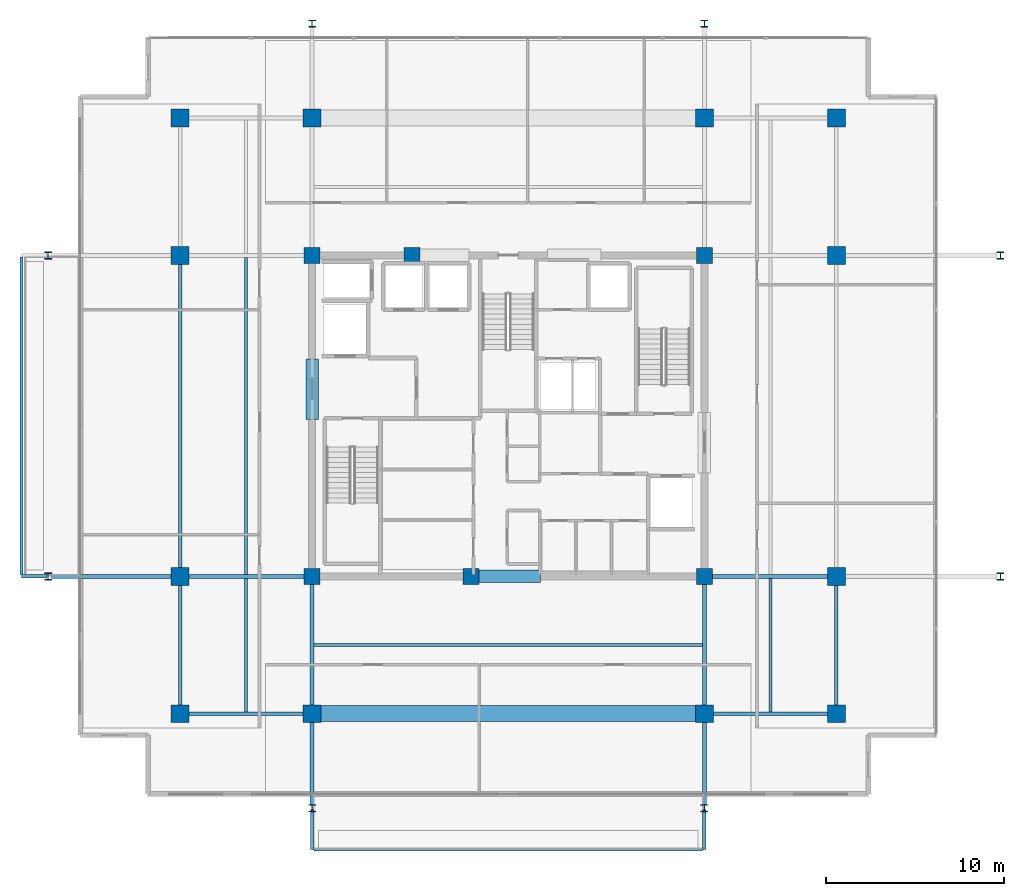
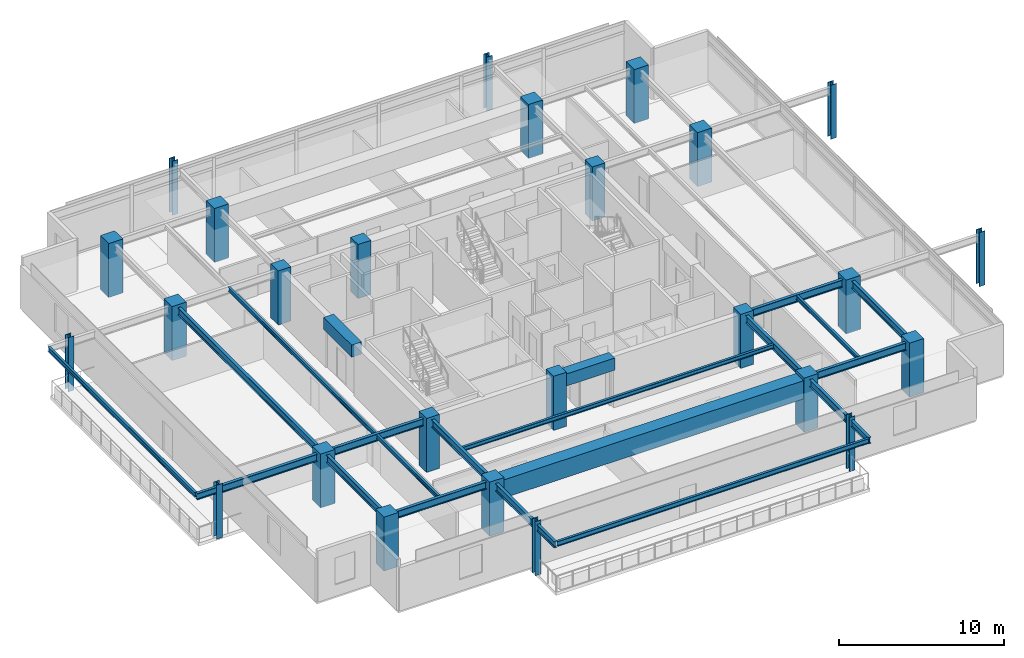
# One storey, part 1 of 20: 26 columns, 24 beams.
"""IFC4 building model written with IfcOpenShell, lengths in metres."""

from ifc_helpers import new_model, si_unit, direction, frame, origin, origin_2d, place, context, subcontext, project, spatial, rectangle, i_section, extrude, material, material_profile, profile_set, type_object, element, save


model = new_model("IFC4")

# Units and contexts
model_context = context("Model", 3, precision=1e-05, world=origin(), true_north=direction((0.0, 1.0)))
body_context = subcontext(model_context, "Body", "Model", "MODEL_VIEW")
ifc_project = project(units=[si_unit("LENGTHUNIT", "METRE"), si_unit("AREAUNIT", "SQUARE_METRE"), si_unit("VOLUMEUNIT", "CUBIC_METRE"), si_unit("PLANEANGLEUNIT", "RADIAN"), si_unit("MASSUNIT", "GRAM", prefix="KILO")], contexts=[model_context])

# Site, building, storey
site_placement = place(None, origin())
site = spatial("IfcSite", under=ifc_project, at=site_placement, CompositionType="ELEMENT")
building_placement = place(site_placement, origin())
building = spatial("IfcBuilding", under=site, at=building_placement, Name="Kovane Verandah Tower", CompositionType="ELEMENT")
storey_placement = place(building_placement, frame((0.0, 0.0, 306.800048828125)))
storey = spatial("IfcBuildingStorey", under=building, at=storey_placement, Name="L71", CompositionType="ELEMENT", Elevation=306.800048828125)

# Columns
ifc_material_1 = material(Name="Concrete C60/75", Category="concrete")
ifc_material_profile_1 = material_profile(ifc_material_1, rectangle(XDim=1.0, YDim=1.0, at=origin_2d()), Name="RC1000x1000")
ifc_profile_set_1 = profile_set([ifc_material_profile_1], Name="Concrete C60/75")
column_type_1 = type_object("IfcColumnType", Name="COL-RC1000", PredefinedType="COLUMN", material=ifc_profile_set_1)
for number, where, z_axis, x_axis, name in (
    (1, (29.0, 10.800048828125, 0.0), (0.0, 0.0, 1.0), (1.0, 0.0, 0.0), "L71 Tower Mega-Column MC-S1"),
    (2, (51.0, 10.800048828125, 0.0), (0.0, 0.0, 1.0), (1.0, 0.0, 0.0), "L71 Tower Mega-Column MC-S2"),
    (3, (29.0, 44.199951171875, 0.0), (0.0, 0.0, 1.0), (1.0, 0.0, 0.0), "L71 Tower Mega-Column MC-N1"),
    (4, (51.0, 44.199951171875, 0.0), (0.0, 0.0, 1.0), (1.0, 0.0, 0.0), "L71 Tower Mega-Column MC-N2"),
    (5, (21.60009765625, 18.5, 0.0), (0.0, 0.0, 1.0), (1.0, 0.0, 0.0), "L71 Tower Mega-Column MC-W1"),
    (6, (21.60009765625, 36.5, 0.0), (0.0, 0.0, 1.0), (1.0, 0.0, 0.0), "L71 Tower Mega-Column MC-W2"),
    (7, (58.39990234375, 18.5, 0.0), (0.0, 0.0, 1.0), (1.0, 0.0, 0.0), "L71 Tower Mega-Column MC-E1"),
    (8, (58.39990234375, 36.5, 0.0), (0.0, 0.0, 1.0), (1.0, 0.0, 0.0), "L71 Tower Mega-Column MC-E2"),
    (9, (21.60009765625, 10.800048828125, 0.0), (0.0, 0.0, 1.0), (1.0, 0.0, 0.0), "L71 Tower Mega-Column MC-SW"),
    (10, (58.39990234375, 10.800048828125, 0.0), (0.0, 0.0, 1.0), (1.0, 0.0, 0.0), "L71 Tower Mega-Column MC-SE"),
    (11, (21.60009765625, 44.199951171875, 0.0), (0.0, 0.0, 1.0), (1.0, 0.0, 0.0), "L71 Tower Mega-Column MC-NW"),
    (12, (58.39990234375, 44.199951171875, 0.0), (0.0, 0.0, 1.0), (1.0, 0.0, 0.0), "L71 Tower Mega-Column MC-NE"),
):
    element("IfcColumn", number, at=place(storey_placement, frame(where, z_axis=z_axis, x_axis=x_axis)), inside=storey, type_object=column_type_1, Name=name, PredefinedType="COLUMN", context=body_context, shape_type="SweptSolid", body=[
        extrude(rectangle(XDim=1.0, YDim=1.0, at=origin_2d()), origin(), (0.0, 0.0, 1.0), 4.0),
    ])
ifc_material_2 = material(Name="Steel S460", Category="steel")
ifc_material_profile_2 = material_profile(ifc_material_2, i_section(OverallWidth=0.403076171875, OverallDepth=0.406494140625, WebThickness=0.026611328125, FlangeThickness=0.04296875, FilletRadius=0.01513671875, at=origin_2d()), Name="UC356x406x340")
ifc_profile_set_2 = profile_set([ifc_material_profile_2], Name="Steel S460")
column_type_2 = type_object("IfcColumnType", Name="COL-UC340", PredefinedType="COLUMN", material=ifc_profile_set_2)
for number, where, z_axis, x_axis, name in (
    (13, (14.199951171875, 18.5, 0.0), (0.0, 0.0, 1.0), (1.0, 0.0, 0.0), "L71 Verandah Perimeter Column VC-W1"),
    (14, (14.199951171875, 36.5, 0.0), (0.0, 0.0, 1.0), (1.0, 0.0, 0.0), "L71 Verandah Perimeter Column VC-W2"),
    (15, (67.60009765625, 18.5, 0.0), (0.0, 0.0, 1.0), (1.0, 0.0, 0.0), "L71 Verandah Perimeter Column VC-E1"),
    (16, (67.60009765625, 36.5, 0.0), (0.0, 0.0, 1.0), (1.0, 0.0, 0.0), "L71 Verandah Perimeter Column VC-E2"),
    (17, (29.0, 5.5, 0.0), (0.0, 0.0, 1.0), (1.0, 0.0, 0.0), "L71 Verandah Perimeter Column VC-S1"),
    (18, (51.0, 5.5, 0.0), (0.0, 0.0, 1.0), (1.0, 0.0, 0.0), "L71 Verandah Perimeter Column VC-S2"),
    (19, (29.0, 49.5, 0.0), (0.0, 0.0, 1.0), (1.0, 0.0, 0.0), "L71 Verandah Perimeter Column VC-N1"),
    (20, (51.0, 49.5, 0.0), (0.0, 0.0, 1.0), (1.0, 0.0, 0.0), "L71 Verandah Perimeter Column VC-N2"),
):
    element("IfcColumn", number, at=place(storey_placement, frame(where, z_axis=z_axis, x_axis=x_axis)), inside=storey, type_object=column_type_2, Name=name, PredefinedType="COLUMN", context=body_context, shape_type="SweptSolid", body=[
        extrude(i_section(OverallWidth=0.403076171875, OverallDepth=0.406494140625, WebThickness=0.026611328125, FlangeThickness=0.04296875, FilletRadius=0.01513671875, at=origin_2d()), origin(), (0.0, 0.0, 1.0), 4.0),
    ])
ifc_material_profile_3 = material_profile(ifc_material_1, rectangle(XDim=0.89990234375, YDim=0.89990234375, at=origin_2d()), Name="RC900x900")
ifc_profile_set_3 = profile_set([ifc_material_profile_3], Name="Concrete C60/75")
column_type_3 = type_object("IfcColumnType", Name="PIL-RC900", PredefinedType="PILASTER", material=ifc_profile_set_3)
for number, where, z_axis, x_axis, name in (
    (21, (29.0, 18.5, 0.0), (0.0, 0.0, 1.0), (1.0, 0.0, 0.0), "L71 Core Pilaster CP-SW"),
    (22, (51.0, 18.5, 0.0), (0.0, 0.0, 1.0), (1.0, 0.0, 0.0), "L71 Core Pilaster CP-SE"),
    (23, (29.0, 36.5, 0.0), (0.0, 0.0, 1.0), (1.0, 0.0, 0.0), "L71 Core Pilaster CP-NW"),
    (24, (51.0, 36.5, 0.0), (0.0, 0.0, 1.0), (1.0, 0.0, 0.0), "L71 Core Pilaster CP-NE"),
    (25, (37.89990234375, 18.5, 0.0), (0.0, 0.0, 1.0), (1.0, 0.0, 0.0), "L71 Core Pilaster CP-S"),
    (26, (34.60009765625, 36.5, 0.0), (0.0, 0.0, 1.0), (1.0, 0.0, 0.0), "L71 Core Pilaster CP-N"),
):
    element("IfcColumn", number, at=place(storey_placement, frame(where, z_axis=z_axis, x_axis=x_axis)), inside=storey, type_object=column_type_3, Name=name, PredefinedType="PILASTER", context=body_context, shape_type="SweptSolid", body=[
        extrude(rectangle(XDim=0.89990234375, YDim=0.89990234375, at=origin_2d()), origin(), (0.0, 0.0, 1.0), 4.0),
    ])

# Beams
ifc_material_profile_4 = material_profile(ifc_material_1, rectangle(XDim=0.699951171875, YDim=0.89990234375, at=origin_2d()), Name="RCB700x900")
ifc_profile_set_4 = profile_set([ifc_material_profile_4], Name="Concrete C60/75")
beam_type_1 = type_object("IfcBeamType", Name="BM-LINTEL-700x900", PredefinedType="LINTEL", material=ifc_profile_set_4)
beam_1_placement = place(storey_placement, frame((38.199951171875, 18.5, 3.3349609375), z_axis=(1.0, 0.0, 0.0), x_axis=(0.0, 1.0, 0.0)))
element("IfcBeam", 27, at=beam_1_placement, inside=storey, type_object=beam_type_1, Name="L71 Core Coupling Lintel CL-S", PredefinedType="LINTEL", context=body_context, shape_type="SweptSolid", body=[
    extrude(rectangle(XDim=0.699951171875, YDim=0.89990234375, at=origin_2d()), origin(), (0.0, 0.0, 1.0), 3.60009765625),
])
beam_2_placement = place(storey_placement, frame((29.0, 27.300048828125, 3.3349609375), z_axis=(0.0, 1.0, 0.0), x_axis=(-1.0, 0.0, 0.0)))
element("IfcBeam", 28, at=beam_2_placement, inside=storey, type_object=beam_type_1, Name="L71 Core Coupling Lintel CL-W", PredefinedType="LINTEL", context=body_context, shape_type="SweptSolid", body=[
    extrude(rectangle(XDim=0.699951171875, YDim=0.89990234375, at=origin_2d()), origin(), (0.0, 0.0, 1.0), 3.39990234375),
])
ifc_material_3 = material(Name="Concrete C80/95", Category="concrete")
ifc_material_profile_5 = material_profile(ifc_material_3, rectangle(XDim=0.89990234375, YDim=1.35009765625, at=origin_2d()), Name="RCB900x1350")
ifc_profile_set_5 = profile_set([ifc_material_profile_5], Name="Concrete C80/95")
beam_type_2 = type_object("IfcBeamType", Name="BM-TR-900x1350", PredefinedType="BEAM", material=ifc_profile_set_5)
beam_3_placement = place(storey_placement, frame((29.179931640625, 10.800048828125, 3.10986328125), z_axis=(1.0, 0.0, 0.0), x_axis=(0.0, 1.0, 0.0)))
element("IfcBeam", 29, at=beam_3_placement, inside=storey, type_object=beam_type_2, Name="L71 Primary Tower Girder G-RS2", PredefinedType="BEAM", context=body_context, shape_type="SweptSolid", body=[
    extrude(rectangle(XDim=0.89990234375, YDim=1.35009765625, at=origin_2d()), origin(), (0.0, 0.0, 1.0), 21.64013671875),
])
ifc_material_4 = material(Name="Steel S355", Category="steel")
ifc_material_profile_6 = material_profile(ifc_material_4, i_section(OverallWidth=0.2119140625, OverallDepth=0.54443359375, WebThickness=0.0126953125, FlangeThickness=0.021240234375, FilletRadius=0.0126953125, at=origin_2d()), Name="UB533x210x122")
ifc_profile_set_6 = profile_set([ifc_material_profile_6], Name="Steel S355")
beam_type_3 = type_object("IfcBeamType", Name="BM-UB533x122", PredefinedType="BEAM", material=ifc_profile_set_6)
for number, where, z_axis, x_axis, name in (
    (30, (21.780029296875, 10.800048828125, 3.5126953125), (1.0, 0.0, 0.0), (0.0, 1.0, 0.0), "L71 Primary Tower Girder G-RS1"),
    (31, (51.179931640625, 10.800048828125, 3.5126953125), (1.0, 0.0, 0.0), (0.0, 1.0, 0.0), "L71 Primary Tower Girder G-RS3"),
):
    element("IfcBeam", number, at=place(storey_placement, frame(where, z_axis=z_axis, x_axis=x_axis)), inside=storey, type_object=beam_type_3, Name=name, PredefinedType="BEAM", context=body_context, shape_type="SweptSolid", body=[
        extrude(i_section(OverallWidth=0.2119140625, OverallDepth=0.54443359375, WebThickness=0.0126953125, FlangeThickness=0.021240234375, FilletRadius=0.0126953125, at=origin_2d()), origin(), (0.0, 0.0, 1.0), 7.0400390625),
    ])
beam_4_placement = place(storey_placement, frame((21.60009765625, 10.97998046875, 3.5126953125), z_axis=(0.0, 1.0, 0.0), x_axis=(-1.0, 0.0, 0.0)))
element("IfcBeam", 32, at=beam_4_placement, inside=storey, type_object=beam_type_3, Name="L71 Primary Tower Girder G-RW1", PredefinedType="BEAM", context=body_context, shape_type="SweptSolid", body=[
    extrude(i_section(OverallWidth=0.2119140625, OverallDepth=0.54443359375, WebThickness=0.0126953125, FlangeThickness=0.021240234375, FilletRadius=0.0126953125, at=origin_2d()), origin(), (0.0, 0.0, 1.0), 7.340087890625),
])
beam_5_placement = place(storey_placement, frame((21.60009765625, 18.679931640625, 3.5126953125), z_axis=(0.0, 1.0, 0.0), x_axis=(-1.0, 0.0, 0.0)))
element("IfcBeam", 33, at=beam_5_placement, inside=storey, type_object=beam_type_3, Name="L71 Primary Tower Girder G-RW2", PredefinedType="BEAM", context=body_context, shape_type="SweptSolid", body=[
    extrude(i_section(OverallWidth=0.2119140625, OverallDepth=0.54443359375, WebThickness=0.0126953125, FlangeThickness=0.021240234375, FilletRadius=0.0126953125, at=origin_2d()), origin(), (0.0, 0.0, 1.0), 17.64013671875),
])
beam_6_placement = place(storey_placement, frame((58.39990234375, 10.97998046875, 3.5126953125), z_axis=(0.0, 1.0, 0.0), x_axis=(-1.0, 0.0, 0.0)))
element("IfcBeam", 34, at=beam_6_placement, inside=storey, type_object=beam_type_3, Name="L71 Primary Tower Girder G-RE1", PredefinedType="BEAM", context=body_context, shape_type="SweptSolid", body=[
    extrude(i_section(OverallWidth=0.2119140625, OverallDepth=0.54443359375, WebThickness=0.0126953125, FlangeThickness=0.021240234375, FilletRadius=0.0126953125, at=origin_2d()), origin(), (0.0, 0.0, 1.0), 7.340087890625),
])
for number, where, z_axis, x_axis, name in (
    (35, (28.820068359375, 18.5, 3.5126953125), (-1.0, 0.0, 0.0), (0.0, -1.0, 0.0), "L71 Primary Tower Girder G-W1"),
    (36, (51.179931640625, 18.5, 3.5126953125), (1.0, 0.0, 0.0), (0.0, 1.0, 0.0), "L71 Primary Tower Girder G-E1"),
):
    element("IfcBeam", number, at=place(storey_placement, frame(where, z_axis=z_axis, x_axis=x_axis)), inside=storey, type_object=beam_type_3, Name=name, PredefinedType="BEAM", context=body_context, shape_type="SweptSolid", body=[
        extrude(i_section(OverallWidth=0.2119140625, OverallDepth=0.54443359375, WebThickness=0.0126953125, FlangeThickness=0.021240234375, FilletRadius=0.0126953125, at=origin_2d()), origin(), (0.0, 0.0, 1.0), 7.0400390625),
    ])
for number, where, z_axis, x_axis, name in (
    (37, (29.0, 18.320068359375, 3.5126953125), (0.0, -1.0, 0.0), (1.0, 0.0, 0.0), "L71 Primary Tower Girder G-S1"),
    (38, (51.0, 18.320068359375, 3.5126953125), (0.0, -1.0, 0.0), (1.0, 0.0, 0.0), "L71 Primary Tower Girder G-S2"),
):
    element("IfcBeam", number, at=place(storey_placement, frame(where, z_axis=z_axis, x_axis=x_axis)), inside=storey, type_object=beam_type_3, Name=name, PredefinedType="BEAM", context=body_context, shape_type="SweptSolid", body=[
        extrude(i_section(OverallWidth=0.2119140625, OverallDepth=0.54443359375, WebThickness=0.0126953125, FlangeThickness=0.021240234375, FilletRadius=0.0126953125, at=origin_2d()), origin(), (0.0, 0.0, 1.0), 7.340087890625),
    ])
beam_7_placement = place(storey_placement, frame((21.419921875, 18.5, 3.48779296875), z_axis=(-1.0, 0.0, 0.0), x_axis=(0.0, -1.0, 0.0)))
element("IfcBeam", 39, at=beam_7_placement, inside=storey, type_object=beam_type_3, Name="L71 Primary Tower Girder G-VW1", PredefinedType="BEAM", context=body_context, shape_type="SweptSolid", body=[
    extrude(i_section(OverallWidth=0.2119140625, OverallDepth=0.54443359375, WebThickness=0.0126953125, FlangeThickness=0.021240234375, FilletRadius=0.0126953125, at=origin_2d()), origin(), (0.0, 0.0, 1.0), 7.0400390625),
])
for number, where, z_axis, x_axis, name in (
    (40, (29.0, 10.6201171875, 3.48779296875), (0.0, -1.0, 0.0), (1.0, 0.0, 0.0), "L71 Primary Tower Girder G-VS1"),
    (41, (51.0, 10.6201171875, 3.48779296875), (0.0, -1.0, 0.0), (1.0, 0.0, 0.0), "L71 Primary Tower Girder G-VS2"),
):
    element("IfcBeam", number, at=place(storey_placement, frame(where, z_axis=z_axis, x_axis=x_axis)), inside=storey, type_object=beam_type_3, Name=name, PredefinedType="BEAM", context=body_context, shape_type="SweptSolid", body=[
        extrude(i_section(OverallWidth=0.2119140625, OverallDepth=0.54443359375, WebThickness=0.0126953125, FlangeThickness=0.021240234375, FilletRadius=0.0126953125, at=origin_2d()), origin(), (0.0, 0.0, 1.0), 4.940185546875),
    ])
ifc_material_profile_7 = material_profile(ifc_material_4, i_section(OverallWidth=0.1669921875, OverallDepth=0.310302734375, WebThickness=0.0078125, FlangeThickness=0.013671875, FilletRadius=0.0087890625, at=origin_2d()), Name="UB305x165x54")
ifc_profile_set_7 = profile_set([ifc_material_profile_7], Name="Steel S355")
beam_type_4 = type_object("IfcBeamType", Name="JST-UB305x54", PredefinedType="JOIST", material=ifc_profile_set_7)
beam_8_placement = place(storey_placement, frame((29.10400390625, 14.64990234375, 3.629638671875), z_axis=(1.0, 0.0, 0.0), x_axis=(0.0, 1.0, 0.0)))
element("IfcBeam", 42, at=beam_8_placement, inside=storey, type_object=beam_type_4, Name="L71 Secondary Composite Joist J-S1", PredefinedType="JOIST", context=body_context, shape_type="SweptSolid", body=[
    extrude(i_section(OverallWidth=0.1669921875, OverallDepth=0.310302734375, WebThickness=0.0078125, FlangeThickness=0.013671875, FilletRadius=0.0087890625, at=origin_2d()), origin(), (0.0, 0.0, 1.0), 21.7919921875),
])
beam_9_placement = place(storey_placement, frame((25.300048828125, 18.60400390625, 3.629638671875), z_axis=(0.0, 1.0, 0.0), x_axis=(-1.0, 0.0, 0.0)))
element("IfcBeam", 43, at=beam_9_placement, inside=storey, type_object=beam_type_4, Name="L71 Secondary Composite Joist J-W1", PredefinedType="JOIST", context=body_context, shape_type="SweptSolid", body=[
    extrude(i_section(OverallWidth=0.1669921875, OverallDepth=0.310302734375, WebThickness=0.0078125, FlangeThickness=0.013671875, FilletRadius=0.0087890625, at=origin_2d()), origin(), (0.0, 0.0, 1.0), 17.7919921875),
])
for number, where, z_axis, x_axis, name in (
    (44, (25.300048828125, 10.904052734375, 3.629638671875), (0.0, 1.0, 0.0), (-1.0, 0.0, 0.0), "L71 Secondary Composite Joist J-SW1"),
    (45, (54.699951171875, 10.904052734375, 3.629638671875), (0.0, 1.0, 0.0), (-1.0, 0.0, 0.0), "L71 Secondary Composite Joist J-SE1"),
):
    element("IfcBeam", number, at=place(storey_placement, frame(where, z_axis=z_axis, x_axis=x_axis)), inside=storey, type_object=beam_type_4, Name=name, PredefinedType="JOIST", context=body_context, shape_type="SweptSolid", body=[
        extrude(i_section(OverallWidth=0.1669921875, OverallDepth=0.310302734375, WebThickness=0.0078125, FlangeThickness=0.013671875, FilletRadius=0.0087890625, at=origin_2d()), origin(), (0.0, 0.0, 1.0), 7.491943359375),
    ])
ifc_material_profile_8 = material_profile(ifc_material_4, i_section(OverallWidth=0.19287109375, OverallDepth=0.46728515625, WebThickness=0.011474609375, FlangeThickness=0.01953125, FilletRadius=0.01025390625, at=origin_2d()), Name="UB457x191x98")
ifc_profile_set_8 = profile_set([ifc_material_profile_8], Name="Steel S355")
beam_type_5 = type_object("IfcBeamType", Name="JST-UB457x98", PredefinedType="JOIST", material=ifc_profile_set_8)
for number, where, z_axis, x_axis, name in (
    (46, (29.0, 5.419921875, 3.5263671875), (0.0, -1.0, 0.0), (1.0, 0.0, 0.0), "L71 South Planter Girder 1"),
    (47, (51.0, 5.419921875, 3.5263671875), (0.0, -1.0, 0.0), (1.0, 0.0, 0.0), "L71 South Planter Girder 2"),
):
    element("IfcBeam", number, at=place(storey_placement, frame(where, z_axis=z_axis, x_axis=x_axis)), inside=storey, type_object=beam_type_5, Name=name, PredefinedType="JOIST", context=body_context, shape_type="SweptSolid", body=[
        extrude(i_section(OverallWidth=0.19287109375, OverallDepth=0.46728515625, WebThickness=0.011474609375, FlangeThickness=0.01953125, FilletRadius=0.01025390625, at=origin_2d()), origin(), (0.0, 0.0, 1.0), 2.2421875),
    ])
beam_10_placement = place(storey_placement, frame((14.1201171875, 18.5, 3.5263671875), z_axis=(-1.0, 0.0, 0.0), x_axis=(0.0, -1.0, 0.0)))
element("IfcBeam", 48, at=beam_10_placement, inside=storey, type_object=beam_type_5, Name="L71 West Planter Girder 1", PredefinedType="JOIST", context=body_context, shape_type="SweptSolid", body=[
    extrude(i_section(OverallWidth=0.19287109375, OverallDepth=0.46728515625, WebThickness=0.011474609375, FlangeThickness=0.01953125, FilletRadius=0.01025390625, at=origin_2d()), origin(), (0.0, 0.0, 1.0), 1.41455078125),
])
ifc_material_profile_9 = material_profile(ifc_material_4, i_section(OverallWidth=0.173095703125, OverallDepth=0.36328125, WebThickness=0.009033203125, FlangeThickness=0.015625, FilletRadius=0.01025390625, at=origin_2d()), Name="UB356x171x67")
ifc_profile_set_9 = profile_set([ifc_material_profile_9], Name="Steel S355")
beam_type_6 = type_object("IfcBeamType", Name="SPD-UB356x67", PredefinedType="USERDEFINED", material=ifc_profile_set_9)
beam_11_placement = place(storey_placement, frame((29.094482421875, 3.177734375, 3.578369140625), z_axis=(1.0, 0.0, 0.0), x_axis=(0.0, 1.0, 0.0)))
element("IfcBeam", 49, at=beam_11_placement, inside=storey, type_object=beam_type_6, Name="L71 South Planter Edge Spandrel", ObjectType="SPANDREL", PredefinedType="USERDEFINED", context=body_context, shape_type="SweptSolid", body=[
    extrude(i_section(OverallWidth=0.173095703125, OverallDepth=0.36328125, WebThickness=0.009033203125, FlangeThickness=0.015625, FilletRadius=0.01025390625, at=origin_2d()), origin(), (0.0, 0.0, 1.0), 21.81103515625),
])
beam_12_placement = place(storey_placement, frame((12.70556640625, 18.594482421875, 3.578369140625), z_axis=(0.0, 1.0, 0.0), x_axis=(-1.0, 0.0, 0.0)))
element("IfcBeam", 50, at=beam_12_placement, inside=storey, type_object=beam_type_6, Name="L71 West Planter Edge Spandrel", ObjectType="SPANDREL", PredefinedType="USERDEFINED", context=body_context, shape_type="SweptSolid", body=[
    extrude(i_section(OverallWidth=0.173095703125, OverallDepth=0.36328125, WebThickness=0.009033203125, FlangeThickness=0.015625, FilletRadius=0.01025390625, at=origin_2d()), origin(), (0.0, 0.0, 1.0), 17.81103515625),
])

save(model, "model.ifc")
